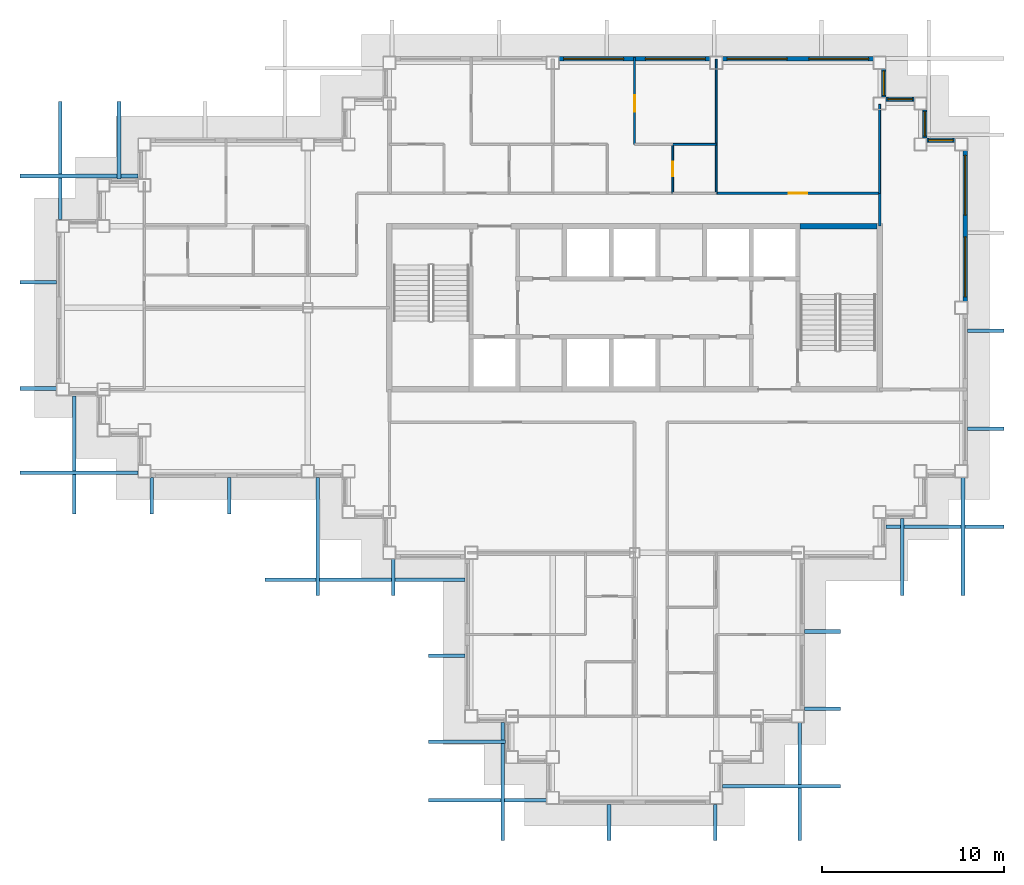
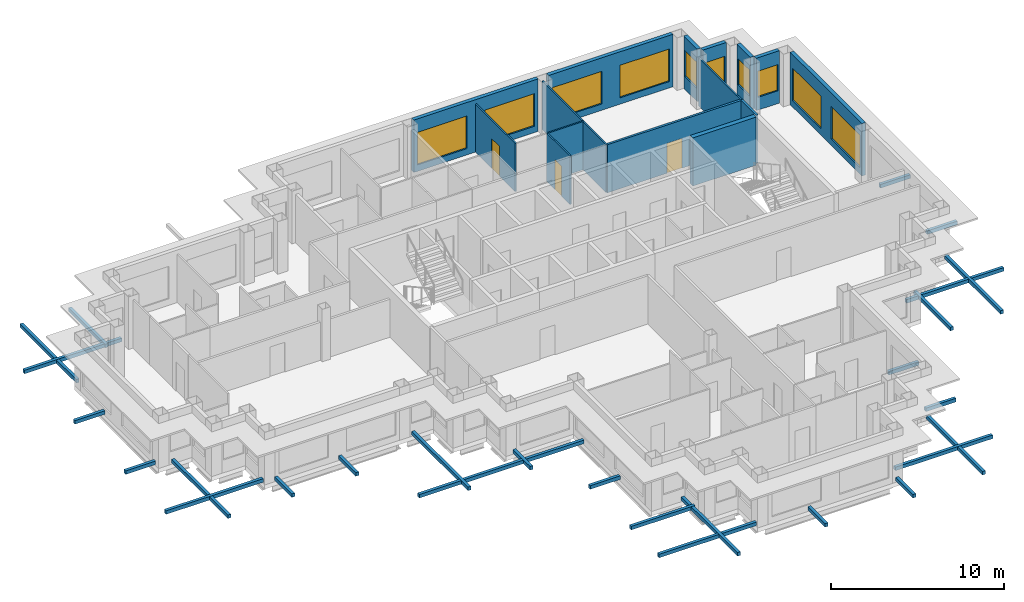
# One storey, part 7 of 12: 27 discrete accessories, 16 walls, 10 windows, 3 doors, 13 openings.
"""IFC4 building model written with IfcOpenShell, lengths in metres."""

import ifcopenshell
import ifcopenshell.guid

model = None  # the IFC model being written
_history = None  # IfcOwnerHistory: only IFC2X3 demands one
_inside = {}  # id of a spatial element -> (the spatial element, [elements in it])
_under = {}  # id of a project, library or spatial element -> (it, [spatial elements below it])
_declared = {}  # id of a project -> (the project, [libraries it declares])
_typed = {}  # id of a type object -> (the type object, [elements of that type])
_made_of = {}  # id of a material, layer set ... -> (it, [elements and type objects made of it])


def new_model(schema):
    """Start an empty IFC model of exactly this schema.

    Asked for "IFC4X3", IfcOpenShell would pick the latest addendum, in which some entities
    have other attributes; the version numbers below select the first issue.
    IFC2X3 requires an IfcOwnerHistory on every rooted entity: one is made here for all.
    """
    global model, _history
    if schema == "IFC4X3":
        model = ifcopenshell.file(schema_version=(4, 3, 0, 0))
    else:
        model = ifcopenshell.file(schema=schema)
    _inside.clear()
    _under.clear()
    _declared.clear()
    _typed.clear()
    _made_of.clear()
    _history = None
    if model.schema == "IFC2X3":
        org = make("IfcOrganization", Name="unknown")
        user = make(
            "IfcPersonAndOrganization",
            ThePerson=make("IfcPerson", FamilyName="unknown"),
            TheOrganization=org,
        )
        app = make(
            "IfcApplication",
            ApplicationDeveloper=org,
            Version="unknown",
            ApplicationFullName="unknown",
            ApplicationIdentifier="unknown",
        )
        _history = make(
            "IfcOwnerHistory",
            OwningUser=user,
            OwningApplication=app,
            ChangeAction="ADDED",
            CreationDate=0,
        )
    return model


def make(cls, **values):
    """One entity of the class cls with the attributes given. An attribute that is None is left unset."""
    return model.create_entity(
        cls, **{name: value for name, value in values.items() if value is not None}
    )


def rooted(cls, **values):
    """An entity with a GlobalId (a new one), such as an element, a storey or a relation."""
    return make(cls, GlobalId=ifcopenshell.guid.new(), OwnerHistory=_history, **values)


def si_unit(unit_type, name, prefix=None):
    """IfcSIUnit, for example si_unit("LENGTHUNIT", "METRE", prefix="MILLI")."""
    return make("IfcSIUnit", UnitType=unit_type, Prefix=prefix, Name=name)


def assignment(units):
    """IfcUnitAssignment: the units of a project."""
    return None if units is None else make("IfcUnitAssignment", Units=units)


def point(xyz):
    """IfcCartesianPoint."""
    return None if xyz is None else make("IfcCartesianPoint", Coordinates=xyz)


def direction(xyz):
    """IfcDirection."""
    return None if xyz is None else make("IfcDirection", DirectionRatios=xyz)


def frame(location, z_axis=None, x_axis=None):
    """IfcAxis2Placement3D, a coordinate frame: its origin and axes. An axis left out is left unset."""
    return make(
        "IfcAxis2Placement3D",
        Location=point(location),
        Axis=direction(z_axis),
        RefDirection=direction(x_axis),
    )


def frame_2d(location, x_axis=None):
    """IfcAxis2Placement2D, a coordinate frame in the plane: its origin and x axis."""
    return make(
        "IfcAxis2Placement2D", Location=point(location), RefDirection=direction(x_axis)
    )


def origin():
    """The frame at (0, 0, 0) with its axes left unset."""
    return frame((0.0, 0.0, 0.0))


def origin_2d():
    """The frame at (0, 0) in the plane with its x axis left unset."""
    return frame_2d((0.0, 0.0))


def place(relative_to, where):
    """IfcLocalPlacement: puts the frame where relative to a parent placement (None: the world)."""
    return make(
        "IfcLocalPlacement", PlacementRelTo=relative_to, RelativePlacement=where
    )


def context(
    kind, dimensions, precision=None, world=None, true_north=None, identifier=None
):
    """IfcGeometricRepresentationContext, for example the 3D "Model" context."""
    return make(
        "IfcGeometricRepresentationContext",
        ContextIdentifier=identifier,
        ContextType=kind,
        CoordinateSpaceDimension=dimensions,
        Precision=precision,
        WorldCoordinateSystem=world,
        TrueNorth=true_north,
    )


def subcontext(parent, identifier, kind, view, scale=None):
    """IfcGeometricRepresentationSubContext, for example "Body" below "Model"."""
    return make(
        "IfcGeometricRepresentationSubContext",
        ContextIdentifier=identifier,
        ContextType=kind,
        ParentContext=parent,
        TargetScale=scale,
        TargetView=view,
    )


def project(units=None, contexts=None):
    """IfcProject with its units and contexts."""
    return rooted(
        "IfcProject",
        Name="project",
        RepresentationContexts=contexts,
        UnitsInContext=assignment(units),
    )


def spatial(cls, under=None, at=None, **own):
    """A site, building, storey or space (cls), placed at a placement, below another one or the project."""
    s = rooted(cls, ObjectPlacement=at, **own)
    if under is not None:
        _under.setdefault(under.id(), (under, []))[1].append(s)
    return s


def profile(cls, at=None, kind="AREA", **sizes):
    """A parametric profile (cls). Its sizes go by their IFC names, for example OverallWidth=200.0."""
    return make(cls, ProfileType=kind, Position=at, **sizes)


def rectangle(**sizes):
    """IfcRectangleProfileDef."""
    return profile("IfcRectangleProfileDef", **sizes)


def extrude(swept, where, along, depth):
    """IfcExtrudedAreaSolid: the profile swept, set in the frame where, extruded along a direction by depth."""
    return make(
        "IfcExtrudedAreaSolid",
        SweptArea=swept,
        Position=where,
        ExtrudedDirection=direction(along),
        Depth=depth,
    )


def shape(context_of_items, identifier, shape_type, items):
    """IfcShapeRepresentation: the items that make up one representation, for example the "Body"."""
    return make(
        "IfcShapeRepresentation",
        ContextOfItems=context_of_items,
        RepresentationIdentifier=identifier,
        RepresentationType=shape_type,
        Items=items,
    )


def material(Name=None, Category=None):
    """IfcMaterial."""
    return make("IfcMaterial", Name=Name, Category=Category)


def layer(
    of_material, thickness, ventilated=None, Name=None, Category=None, Priority=None
):
    """IfcMaterialLayer: one layer of a wall or slab, of a material (None: an air gap)."""
    return make(
        "IfcMaterialLayer",
        Material=of_material,
        LayerThickness=thickness,
        IsVentilated=ventilated,
        Name=Name,
        Category=Category,
        Priority=Priority,
    )


def layer_set(layers, Name=None):
    """IfcMaterialLayerSet."""
    return make("IfcMaterialLayerSet", MaterialLayers=layers, LayerSetName=Name)


def made_of(thing, what):
    """Note that an element or type object is made of a material, layer set ...; save() writes the relation."""
    if what is not None:
        _made_of.setdefault(what.id(), (what, []))[1].append(thing)
    return thing


def type_object(cls, material=None, **own):
    """A type object (cls), such as IfcWallType, which elements share."""
    return made_of(rooted(cls, **own), material)


def element(
    cls,
    number,
    at=None,
    inside=None,
    cuts=None,
    type_object=None,
    material=None,
    context=None,
    identifier="Body",
    shape_type=None,
    held_by="IfcProductDefinitionShape",
    body=None,
    shapes=None,
    **own,
):
    """One element of the class cls, such as IfcWall. Its Tag is "e" and its number.

    at: its placement. inside: the storey or other place that contains it. cuts: it is an
    opening in that element (IfcRelVoidsElement). A single representation is given by context,
    identifier, shape_type and body (its items); several are given by shapes. held_by: the class
    of the entity that holds the representations. save() writes the other relations.
    """
    e = rooted(cls, Tag="e%d" % number, ObjectPlacement=at, **own)
    if body is not None:
        shapes = [shape(context, identifier, shape_type, body)]
    if shapes is not None:
        e.Representation = make(held_by, Representations=shapes)
    if inside is not None:
        _inside.setdefault(inside.id(), (inside, []))[1].append(e)
    if cuts is not None:
        rooted(
            "IfcRelVoidsElement", RelatingBuildingElement=cuts, RelatedOpeningElement=e
        )
    if type_object is not None:
        _typed.setdefault(type_object.id(), (type_object, []))[1].append(e)
    return made_of(e, material)


def fill(opening, filler):
    """IfcRelFillsElement: the door or window that sits in an opening."""
    return rooted(
        "IfcRelFillsElement",
        RelatingOpeningElement=opening,
        RelatedBuildingElement=filler,
    )


def aggregate(whole, parts):
    """IfcRelAggregates: a whole, such as a stair, and the parts it consists of."""
    return rooted("IfcRelAggregates", RelatingObject=whole, RelatedObjects=parts)


def save(model, path):
    """Write the relations noted so far, then the file.

    IfcRelAggregates (storeys below a building ...), IfcRelContainedInSpatialStructure (elements
    in a storey), IfcRelDefinesByType, IfcRelAssociatesMaterial and IfcRelDeclares: one each for
    every whole, place, type object, material and project.
    """
    for whole, parts in _under.values():
        aggregate(whole, parts)
    for where, things in _inside.values():
        rooted(
            "IfcRelContainedInSpatialStructure",
            RelatedElements=things,
            RelatingStructure=where,
        )
    for kind, things in _typed.values():
        rooted("IfcRelDefinesByType", RelatedObjects=things, RelatingType=kind)
    for what, things in _made_of.values():
        rooted("IfcRelAssociatesMaterial", RelatedObjects=things, RelatingMaterial=what)
    for by, libraries in _declared.values():
        rooted("IfcRelDeclares", RelatingContext=by, RelatedDefinitions=libraries)
    model.write(path)


model = new_model("IFC4")

# Units and contexts
model_context = context("Model", 3, precision=1e-05, world=origin(), true_north=direction((0.0, 1.0)))
body_context = subcontext(model_context, "Body", "Model", "MODEL_VIEW")
ifc_project = project(units=[si_unit("LENGTHUNIT", "METRE"), si_unit("AREAUNIT", "SQUARE_METRE"), si_unit("VOLUMEUNIT", "CUBIC_METRE"), si_unit("PLANEANGLEUNIT", "RADIAN"), si_unit("MASSUNIT", "GRAM", prefix="KILO")], contexts=[model_context])

# Site, building, storey
site_placement = place(None, origin())
site = spatial("IfcSite", under=ifc_project, at=site_placement, CompositionType="ELEMENT")
building_placement = place(site_placement, origin())
building = spatial("IfcBuilding", under=site, at=building_placement, Name="Caravel Reach Hotel and Residences", CompositionType="ELEMENT")
storey_placement = place(building_placement, frame((0.0, 0.0, 203.5)))
storey = spatial("IfcBuildingStorey", under=building, at=storey_placement, Name="L51", CompositionType="ELEMENT", Elevation=203.5)

# Wall
ifc_material_1 = material(Name="Gypsum board on steel stud", Category="steel")
ifc_layer_1 = layer(ifc_material_1, 0.10009765625)
ifc_layer_set_1 = layer_set([ifc_layer_1], Name="Bathroom pod wall 100 mm")
wall_type_1 = type_object("IfcWallType", Name="Bathroom pod wall 100 mm", PredefinedType="PARTITIONING", material=ifc_layer_set_1)
wall_1_placement = place(storey_placement, frame((33.60009765625, 36.0, 0.0), z_axis=(0.0, 0.0, 1.0), x_axis=(1.0, 0.0, 0.0)))
element("IfcWall", 1, at=wall_1_placement, inside=storey, type_object=wall_type_1, Name="L51 wall w071", PredefinedType="PARTITIONING", context=body_context, shape_type="SweptSolid", body=[
    extrude(rectangle(XDim=2.39990234375, YDim=0.10009765625, at=frame_2d((1.199951171875, 0.0))), origin(), (0.0, 0.0, 1.0), 3.39990234375),
])

# Wall, opening, door
wall_2_placement = place(storey_placement, frame((33.60009765625, 33.300048828125, 0.0), z_axis=(0.0, 0.0, 1.0), x_axis=(0.0, 1.0, 0.0)))
wall_2 = element("IfcWall", 2, at=wall_2_placement, inside=storey, type_object=wall_type_1, Name="L51 wall w079", PredefinedType="PARTITIONING", context=body_context, shape_type="SweptSolid", body=[
    extrude(rectangle(XDim=2.699951171875, YDim=0.10009765625, at=frame_2d((1.35009765625, 0.0))), origin(), (0.0, 0.0, 1.0), 3.39990234375),
])
opening_1_placement = place(wall_2_placement, frame((0.949951171875, 0.0, 0.0)))
opening_1 = element("IfcOpeningElement", 3, at=opening_1_placement, cuts=wall_2, Name="Opening D51-023", PredefinedType="OPENING", context=body_context, shape_type="SweptSolid", body=[
    extrude(rectangle(XDim=0.800048828125, YDim=2.10009765625, at=frame_2d((0.39990234375, 1.050048828125))), frame((0.0, 0.06005859375, 0.0), z_axis=(0.0, -1.0, 0.0), x_axis=(1.0, 0.0, 0.0)), (0.0, 0.0, 1.0), 0.1201171875),
])
ifc_material_2 = material(Name="Timber and steel door leaf", Category="steel")
door_type_1 = type_object("IfcDoorType", Name="Bathroom door 800 x 2100", OperationType="SINGLE_SWING_LEFT", PredefinedType="DOOR", material=ifc_material_2)
door_1_placement = place(opening_1_placement, origin())
door_1 = element("IfcDoor", 4, at=door_1_placement, inside=storey, type_object=door_type_1, Name="door D51-023", OperationType="SINGLE_SWING_RIGHT", OverallHeight=2.10009765625, OverallWidth=0.800048828125, PredefinedType="DOOR", context=body_context, shape_type="SweptSolid", body=[
    extrude(rectangle(XDim=0.800048828125, YDim=2.10009765625, at=frame_2d((0.39990234375, 1.050048828125))), frame((0.0, 0.02490234375, 0.0), z_axis=(0.0, -1.0, 0.0), x_axis=(1.0, 0.0, 0.0)), (0.0, 0.0, 1.0), 0.050048828125),
])
fill(opening_1, door_1)

# Walls
wall_3_placement = place(storey_placement, frame((36.0, 33.300048828125, 0.0), z_axis=(0.0, 0.0, 1.0), x_axis=(0.0, 1.0, 0.0)))
element("IfcWall", 5, at=wall_3_placement, inside=storey, type_object=wall_type_1, Name="L51 wall w080", PredefinedType="PARTITIONING", context=body_context, shape_type="SweptSolid", body=[
    extrude(rectangle(XDim=2.699951171875, YDim=0.10009765625, at=frame_2d((1.35009765625, 0.0))), origin(), (0.0, 0.0, 1.0), 3.39990234375),
])
ifc_material_3 = material(Name="Concrete C60", Category="concrete")
ifc_layer_2 = layer(ifc_material_3, 0.300048828125)
ifc_layer_set_2 = layer_set([ifc_layer_2], Name="Core wall 300 mm EI 120")
wall_type_2 = type_object("IfcWallType", Name="Core wall 300 mm EI 120", PredefinedType="SHEAR", material=ifc_layer_set_2)
wall_4_placement = place(storey_placement, frame((40.625, 31.5, 0.0), z_axis=(0.0, 0.0, 1.0), x_axis=(1.0, 0.0, 0.0)))
element("IfcWall", 6, at=wall_4_placement, inside=storey, type_object=wall_type_2, Name="L51 core wall N3", PredefinedType="SHEAR", context=body_context, shape_type="SweptSolid", body=[
    extrude(rectangle(XDim=4.22509765625, YDim=0.300048828125, at=frame_2d((2.112548828125, 0.0))), origin(), (0.0, 0.0, 1.0), 3.39990234375),
])

# Wall, opening, door
ifc_material_4 = material(Name="Gypsum board on steel stud, fire-rated", Category="steel")
ifc_layer_3 = layer(ifc_material_4, 0.14990234375)
ifc_layer_set_3 = layer_set([ifc_layer_3], Name="Corridor wall 150 mm EI 60")
wall_type_3 = type_object("IfcWallType", Name="Corridor wall 150 mm EI 60", PredefinedType="PARTITIONING", material=ifc_layer_set_3)
wall_5_placement = place(storey_placement, frame((36.0, 33.300048828125, 0.0), z_axis=(0.0, 0.0, 1.0), x_axis=(1.0, 0.0, 0.0)))
wall_5 = element("IfcWall", 7, at=wall_5_placement, inside=storey, type_object=wall_type_3, Name="L51 wall w014", PredefinedType="PARTITIONING", context=body_context, shape_type="SweptSolid", body=[
    extrude(rectangle(XDim=9.0, YDim=0.14990234375, at=frame_2d((4.5, 0.0))), origin(), (0.0, 0.0, 1.0), 3.39990234375),
])
opening_2_placement = place(wall_5_placement, frame((4.0, 0.0, 0.0)))
opening_2 = element("IfcOpeningElement", 8, at=opening_2_placement, cuts=wall_5, Name="Opening D51-025", PredefinedType="OPENING", context=body_context, shape_type="SweptSolid", body=[
    extrude(rectangle(XDim=1.0, YDim=2.10009765625, at=frame_2d((0.5, 1.050048828125))), frame((0.0, 0.0849609375, 0.0), z_axis=(0.0, -1.0, 0.0), x_axis=(1.0, 0.0, 0.0)), (0.0, 0.0, 1.0), 0.169921875),
])
ifc_material_5 = material(Name="Steel fire door leaf", Category="steel")
door_type_2 = type_object("IfcDoorType", Name="Fire door 1000 x 2100 EI 60", OperationType="SINGLE_SWING_LEFT", PredefinedType="DOOR", material=ifc_material_5)
door_2_placement = place(opening_2_placement, origin())
door_2 = element("IfcDoor", 9, at=door_2_placement, inside=storey, type_object=door_type_2, Name="door D51-025", OperationType="SINGLE_SWING_LEFT", OverallHeight=2.10009765625, OverallWidth=1.0, PredefinedType="DOOR", context=body_context, shape_type="SweptSolid", body=[
    extrude(rectangle(XDim=1.0, YDim=2.10009765625, at=frame_2d((0.5, 1.050048828125))), frame((0.0, 0.02490234375, 0.0), z_axis=(0.0, -1.0, 0.0), x_axis=(1.0, 0.0, 0.0)), (0.0, 0.0, 1.0), 0.050048828125),
])
fill(opening_2, door_2)

# Wall
wall_6_placement = place(storey_placement, frame((45.0, 31.5, 0.0), z_axis=(0.0, 0.0, 1.0), x_axis=(0.0, 1.0, 0.0)))
element("IfcWall", 10, at=wall_6_placement, inside=storey, type_object=wall_type_3, Name="L51 wall w026", PredefinedType="PARTITIONING", context=body_context, shape_type="SweptSolid", body=[
    extrude(rectangle(XDim=1.800048828125, YDim=0.14990234375, at=frame_2d((0.89990234375, 0.0))), origin(), (0.0, 0.0, 1.0), 3.39990234375),
])

# Wall, openings, windows
ifc_material_6 = material(Name="Insulated rainscreen wall, aluminium cladding", Category="aluminium")
ifc_layer_4 = layer(ifc_material_6, 0.25)
ifc_layer_set_4 = layer_set([ifc_layer_4], Name="EW1 Tower rainscreen wall")
wall_type_4 = type_object("IfcWallType", Name="EW1 Tower rainscreen wall", PredefinedType="SOLIDWALL", material=ifc_layer_set_4)
wall_7_placement = place(storey_placement, frame((49.72509765625, 27.35009765625, 0.0), z_axis=(0.0, 0.0, 1.0), x_axis=(0.0, 1.0, 0.0)))
wall_7 = element("IfcWall", 11, at=wall_7_placement, inside=storey, type_object=wall_type_4, Name="External wall L51 E6.2", PredefinedType="SOLIDWALL", context=body_context, shape_type="SweptSolid", body=[
    extrude(rectangle(XDim=8.2998046875, YDim=0.25, at=frame_2d((4.14990234375, 0.0))), origin(), (0.0, 0.0, 1.0), 3.699951171875),
])
opening_3_placement = place(wall_7_placement, frame((0.25, 0.0, 0.449951171875)))
opening_3 = element("IfcOpeningElement", 12, at=opening_3_placement, cuts=wall_7, Name="Opening WN15", PredefinedType="OPENING", context=body_context, shape_type="SweptSolid", body=[
    extrude(rectangle(XDim=3.300048828125, YDim=2.300048828125, at=frame_2d((1.64990234375, 1.14990234375))), frame((0.0, 0.135009765625, 0.0), z_axis=(0.0, -1.0, 0.0), x_axis=(1.0, 0.0, 0.0)), (0.0, 0.0, 1.0), 0.27001953125),
])
opening_4_placement = place(wall_7_placement, frame((4.75, 0.0, 0.449951171875)))
opening_4 = element("IfcOpeningElement", 13, at=opening_4_placement, cuts=wall_7, Name="Opening WN15", PredefinedType="OPENING", context=body_context, shape_type="SweptSolid", body=[
    extrude(rectangle(XDim=3.300048828125, YDim=2.300048828125, at=frame_2d((1.64990234375, 1.14990234375))), frame((0.0, 0.135009765625, 0.0), z_axis=(0.0, -1.0, 0.0), x_axis=(1.0, 0.0, 0.0)), (0.0, 0.0, 1.0), 0.27001953125),
])
ifc_material_7 = material(Name="Dark low-e glazing in black aluminium frame", Category="aluminium")
window_type_1 = type_object("IfcWindowType", Name="Residence living window 3300 x 2300", PartitioningType="SINGLE_PANEL", PredefinedType="WINDOW", material=ifc_material_7)
window_1_placement = place(opening_3_placement, origin())
window_1 = element("IfcWindow", 14, at=window_1_placement, inside=storey, type_object=window_type_1, Name="Window L51 E6.2.1", OverallHeight=2.300048828125, OverallWidth=3.300048828125, PartitioningType="SINGLE_PANEL", PredefinedType="WINDOW", context=body_context, shape_type="SweptSolid", body=[
    extrude(rectangle(XDim=3.300048828125, YDim=2.300048828125, at=frame_2d((1.64990234375, 1.14990234375))), frame((0.0, 0.030029296875, 0.0), z_axis=(0.0, -1.0, 0.0), x_axis=(1.0, 0.0, 0.0)), (0.0, 0.0, 1.0), 0.06005859375),
])
fill(opening_3, window_1)
window_2_placement = place(opening_4_placement, origin())
window_2 = element("IfcWindow", 15, at=window_2_placement, inside=storey, type_object=window_type_1, Name="Window L51 E6.2.2", OverallHeight=2.300048828125, OverallWidth=3.300048828125, PartitioningType="SINGLE_PANEL", PredefinedType="WINDOW", context=body_context, shape_type="SweptSolid", body=[
    extrude(rectangle(XDim=3.300048828125, YDim=2.300048828125, at=frame_2d((1.64990234375, 1.14990234375))), frame((0.0, 0.030029296875, 0.0), z_axis=(0.0, -1.0, 0.0), x_axis=(1.0, 0.0, 0.0)), (0.0, 0.0, 1.0), 0.06005859375),
])
fill(opening_4, window_2)

# Wall, opening, window
wall_8_placement = place(storey_placement, frame((49.14990234375, 36.22509765625, 0.0), z_axis=(0.0, 0.0, 1.0), x_axis=(-1.0, 0.0, 0.0)))
wall_8 = element("IfcWall", 16, at=wall_8_placement, inside=storey, type_object=wall_type_4, Name="External wall L51 N7.1", PredefinedType="SOLIDWALL", context=body_context, shape_type="SweptSolid", body=[
    extrude(rectangle(XDim=1.5498046875, YDim=0.25, at=frame_2d((0.77490234375, 0.0))), origin(), (0.0, 0.0, 1.0), 3.699951171875),
])
opening_5_placement = place(wall_8_placement, frame((0.10009765625, 0.0, 0.89990234375)))
opening_5 = element("IfcOpeningElement", 17, at=opening_5_placement, cuts=wall_8, Name="Opening WN21", PredefinedType="OPENING", context=body_context, shape_type="SweptSolid", body=[
    extrude(rectangle(XDim=1.35009765625, YDim=1.85009765625, at=frame_2d((0.675048828125, 0.925048828125))), frame((0.0, 0.135009765625, 0.0), z_axis=(0.0, -1.0, 0.0), x_axis=(1.0, 0.0, 0.0)), (0.0, 0.0, 1.0), 0.27001953125),
])
ifc_material_8 = material(Name="Dark low-e glazing in black aluminium frame", Category="aluminium")
window_type_2 = type_object("IfcWindowType", Name="Residence bedroom window 1350 x 1850", PartitioningType="SINGLE_PANEL", PredefinedType="WINDOW", material=ifc_material_8)
window_3_placement = place(opening_5_placement, origin())
window_3 = element("IfcWindow", 18, at=window_3_placement, inside=storey, type_object=window_type_2, Name="Window L51 N7.1.1", OverallHeight=1.85009765625, OverallWidth=1.35009765625, PartitioningType="SINGLE_PANEL", PredefinedType="WINDOW", context=body_context, shape_type="SweptSolid", body=[
    extrude(rectangle(XDim=1.35009765625, YDim=1.85009765625, at=frame_2d((0.675048828125, 0.925048828125))), frame((0.0, 0.030029296875, 0.0), z_axis=(0.0, -1.0, 0.0), x_axis=(1.0, 0.0, 0.0)), (0.0, 0.0, 1.0), 0.06005859375),
])
fill(opening_5, window_3)

wall_9_placement = place(storey_placement, frame((47.47509765625, 36.35009765625, 0.0), z_axis=(0.0, 0.0, 1.0), x_axis=(0.0, 1.0, 0.0)))
wall_9 = element("IfcWall", 19, at=wall_9_placement, inside=storey, type_object=wall_type_4, Name="External wall L51 E8.1", PredefinedType="SOLIDWALL", context=body_context, shape_type="SweptSolid", body=[
    extrude(rectangle(XDim=1.5498046875, YDim=0.25, at=frame_2d((0.77490234375, 0.0))), origin(), (0.0, 0.0, 1.0), 3.699951171875),
])
opening_6_placement = place(wall_9_placement, frame((0.10009765625, 0.0, 0.89990234375)))
opening_6 = element("IfcOpeningElement", 20, at=opening_6_placement, cuts=wall_9, Name="Opening WN21", PredefinedType="OPENING", context=body_context, shape_type="SweptSolid", body=[
    extrude(rectangle(XDim=1.35009765625, YDim=1.85009765625, at=frame_2d((0.675048828125, 0.925048828125))), frame((0.0, 0.135009765625, 0.0), z_axis=(0.0, -1.0, 0.0), x_axis=(1.0, 0.0, 0.0)), (0.0, 0.0, 1.0), 0.27001953125),
])
window_4_placement = place(opening_6_placement, origin())
window_4 = element("IfcWindow", 21, at=window_4_placement, inside=storey, type_object=window_type_2, Name="Window L51 E8.1.1", OverallHeight=1.85009765625, OverallWidth=1.35009765625, PartitioningType="SINGLE_PANEL", PredefinedType="WINDOW", context=body_context, shape_type="SweptSolid", body=[
    extrude(rectangle(XDim=1.35009765625, YDim=1.85009765625, at=frame_2d((0.675048828125, 0.925048828125))), frame((0.0, 0.030029296875, 0.0), z_axis=(0.0, -1.0, 0.0), x_axis=(1.0, 0.0, 0.0)), (0.0, 0.0, 1.0), 0.06005859375),
])
fill(opening_6, window_4)

wall_10_placement = place(storey_placement, frame((46.89990234375, 38.47509765625, 0.0), z_axis=(0.0, 0.0, 1.0), x_axis=(-1.0, 0.0, 0.0)))
wall_10 = element("IfcWall", 22, at=wall_10_placement, inside=storey, type_object=wall_type_4, Name="External wall L51 N9.1", PredefinedType="SOLIDWALL", context=body_context, shape_type="SweptSolid", body=[
    extrude(rectangle(XDim=1.5498046875, YDim=0.25, at=frame_2d((0.77490234375, 0.0))), origin(), (0.0, 0.0, 1.0), 3.699951171875),
])
opening_7_placement = place(wall_10_placement, frame((0.10009765625, 0.0, 0.89990234375)))
opening_7 = element("IfcOpeningElement", 23, at=opening_7_placement, cuts=wall_10, Name="Opening WN21", PredefinedType="OPENING", context=body_context, shape_type="SweptSolid", body=[
    extrude(rectangle(XDim=1.35009765625, YDim=1.85009765625, at=frame_2d((0.675048828125, 0.925048828125))), frame((0.0, 0.135009765625, 0.0), z_axis=(0.0, -1.0, 0.0), x_axis=(1.0, 0.0, 0.0)), (0.0, 0.0, 1.0), 0.27001953125),
])
window_5_placement = place(opening_7_placement, origin())
window_5 = element("IfcWindow", 24, at=window_5_placement, inside=storey, type_object=window_type_2, Name="Window L51 N9.1.1", OverallHeight=1.85009765625, OverallWidth=1.35009765625, PartitioningType="SINGLE_PANEL", PredefinedType="WINDOW", context=body_context, shape_type="SweptSolid", body=[
    extrude(rectangle(XDim=1.35009765625, YDim=1.85009765625, at=frame_2d((0.675048828125, 0.925048828125))), frame((0.0, 0.030029296875, 0.0), z_axis=(0.0, -1.0, 0.0), x_axis=(1.0, 0.0, 0.0)), (0.0, 0.0, 1.0), 0.06005859375),
])
fill(opening_7, window_5)

wall_11_placement = place(storey_placement, frame((45.22509765625, 38.60009765625, 0.0), z_axis=(0.0, 0.0, 1.0), x_axis=(0.0, 1.0, 0.0)))
wall_11 = element("IfcWall", 25, at=wall_11_placement, inside=storey, type_object=wall_type_4, Name="External wall L51 E10.1", PredefinedType="SOLIDWALL", context=body_context, shape_type="SweptSolid", body=[
    extrude(rectangle(XDim=1.5498046875, YDim=0.25, at=frame_2d((0.77490234375, 0.0))), origin(), (0.0, 0.0, 1.0), 3.699951171875),
])
opening_8_placement = place(wall_11_placement, frame((0.10009765625, 0.0, 0.89990234375)))
opening_8 = element("IfcOpeningElement", 26, at=opening_8_placement, cuts=wall_11, Name="Opening WN21", PredefinedType="OPENING", context=body_context, shape_type="SweptSolid", body=[
    extrude(rectangle(XDim=1.35009765625, YDim=1.85009765625, at=frame_2d((0.675048828125, 0.925048828125))), frame((0.0, 0.135009765625, 0.0), z_axis=(0.0, -1.0, 0.0), x_axis=(1.0, 0.0, 0.0)), (0.0, 0.0, 1.0), 0.27001953125),
])
window_6_placement = place(opening_8_placement, origin())
window_6 = element("IfcWindow", 27, at=window_6_placement, inside=storey, type_object=window_type_2, Name="Window L51 E10.1.1", OverallHeight=1.85009765625, OverallWidth=1.35009765625, PartitioningType="SINGLE_PANEL", PredefinedType="WINDOW", context=body_context, shape_type="SweptSolid", body=[
    extrude(rectangle(XDim=1.35009765625, YDim=1.85009765625, at=frame_2d((0.675048828125, 0.925048828125))), frame((0.0, 0.030029296875, 0.0), z_axis=(0.0, -1.0, 0.0), x_axis=(1.0, 0.0, 0.0)), (0.0, 0.0, 1.0), 0.06005859375),
])
fill(opening_8, window_6)

# Wall, openings, windows
wall_12_placement = place(storey_placement, frame((44.64990234375, 40.72509765625, 0.0), z_axis=(0.0, 0.0, 1.0), x_axis=(-1.0, 0.0, 0.0)))
wall_12 = element("IfcWall", 28, at=wall_12_placement, inside=storey, type_object=wall_type_4, Name="External wall L51 N11.1", PredefinedType="SOLIDWALL", context=body_context, shape_type="SweptSolid", body=[
    extrude(rectangle(XDim=8.2998046875, YDim=0.25, at=frame_2d((4.14990234375, 0.0))), origin(), (0.0, 0.0, 1.0), 3.699951171875),
])
opening_9_placement = place(wall_12_placement, frame((0.25, 0.0, 0.449951171875)))
opening_9 = element("IfcOpeningElement", 29, at=opening_9_placement, cuts=wall_12, Name="Opening WN15", PredefinedType="OPENING", context=body_context, shape_type="SweptSolid", body=[
    extrude(rectangle(XDim=3.300048828125, YDim=2.300048828125, at=frame_2d((1.64990234375, 1.14990234375))), frame((0.0, 0.135009765625, 0.0), z_axis=(0.0, -1.0, 0.0), x_axis=(1.0, 0.0, 0.0)), (0.0, 0.0, 1.0), 0.27001953125),
])
opening_10_placement = place(wall_12_placement, frame((4.75, 0.0, 0.449951171875)))
opening_10 = element("IfcOpeningElement", 30, at=opening_10_placement, cuts=wall_12, Name="Opening WN15", PredefinedType="OPENING", context=body_context, shape_type="SweptSolid", body=[
    extrude(rectangle(XDim=3.300048828125, YDim=2.300048828125, at=frame_2d((1.64990234375, 1.14990234375))), frame((0.0, 0.135009765625, 0.0), z_axis=(0.0, -1.0, 0.0), x_axis=(1.0, 0.0, 0.0)), (0.0, 0.0, 1.0), 0.27001953125),
])
window_7_placement = place(opening_9_placement, origin())
window_7 = element("IfcWindow", 31, at=window_7_placement, inside=storey, type_object=window_type_1, Name="Window L51 N11.1.1", OverallHeight=2.300048828125, OverallWidth=3.300048828125, PartitioningType="SINGLE_PANEL", PredefinedType="WINDOW", context=body_context, shape_type="SweptSolid", body=[
    extrude(rectangle(XDim=3.300048828125, YDim=2.300048828125, at=frame_2d((1.64990234375, 1.14990234375))), frame((0.0, 0.030029296875, 0.0), z_axis=(0.0, -1.0, 0.0), x_axis=(1.0, 0.0, 0.0)), (0.0, 0.0, 1.0), 0.06005859375),
])
fill(opening_9, window_7)
window_8_placement = place(opening_10_placement, origin())
window_8 = element("IfcWindow", 32, at=window_8_placement, inside=storey, type_object=window_type_1, Name="Window L51 N11.1.2", OverallHeight=2.300048828125, OverallWidth=3.300048828125, PartitioningType="SINGLE_PANEL", PredefinedType="WINDOW", context=body_context, shape_type="SweptSolid", body=[
    extrude(rectangle(XDim=3.300048828125, YDim=2.300048828125, at=frame_2d((1.64990234375, 1.14990234375))), frame((0.0, 0.030029296875, 0.0), z_axis=(0.0, -1.0, 0.0), x_axis=(1.0, 0.0, 0.0)), (0.0, 0.0, 1.0), 0.06005859375),
])
fill(opening_10, window_8)

wall_13_placement = place(storey_placement, frame((35.64990234375, 40.72509765625, 0.0), z_axis=(0.0, 0.0, 1.0), x_axis=(-1.0, 0.0, 0.0)))
wall_13 = element("IfcWall", 33, at=wall_13_placement, inside=storey, type_object=wall_type_4, Name="External wall L51 N11.2", PredefinedType="SOLIDWALL", context=body_context, shape_type="SweptSolid", body=[
    extrude(rectangle(XDim=8.2998046875, YDim=0.25, at=frame_2d((4.14990234375, 0.0))), origin(), (0.0, 0.0, 1.0), 3.699951171875),
])
opening_11_placement = place(wall_13_placement, frame((0.25, 0.0, 0.449951171875)))
opening_11 = element("IfcOpeningElement", 34, at=opening_11_placement, cuts=wall_13, Name="Opening WN15", PredefinedType="OPENING", context=body_context, shape_type="SweptSolid", body=[
    extrude(rectangle(XDim=3.300048828125, YDim=2.300048828125, at=frame_2d((1.64990234375, 1.14990234375))), frame((0.0, 0.135009765625, 0.0), z_axis=(0.0, -1.0, 0.0), x_axis=(1.0, 0.0, 0.0)), (0.0, 0.0, 1.0), 0.27001953125),
])
opening_12_placement = place(wall_13_placement, frame((4.75, 0.0, 0.449951171875)))
opening_12 = element("IfcOpeningElement", 35, at=opening_12_placement, cuts=wall_13, Name="Opening WN15", PredefinedType="OPENING", context=body_context, shape_type="SweptSolid", body=[
    extrude(rectangle(XDim=3.300048828125, YDim=2.300048828125, at=frame_2d((1.64990234375, 1.14990234375))), frame((0.0, 0.135009765625, 0.0), z_axis=(0.0, -1.0, 0.0), x_axis=(1.0, 0.0, 0.0)), (0.0, 0.0, 1.0), 0.27001953125),
])
window_9_placement = place(opening_11_placement, origin())
window_9 = element("IfcWindow", 36, at=window_9_placement, inside=storey, type_object=window_type_1, Name="Window L51 N11.2.1", OverallHeight=2.300048828125, OverallWidth=3.300048828125, PartitioningType="SINGLE_PANEL", PredefinedType="WINDOW", context=body_context, shape_type="SweptSolid", body=[
    extrude(rectangle(XDim=3.300048828125, YDim=2.300048828125, at=frame_2d((1.64990234375, 1.14990234375))), frame((0.0, 0.030029296875, 0.0), z_axis=(0.0, -1.0, 0.0), x_axis=(1.0, 0.0, 0.0)), (0.0, 0.0, 1.0), 0.06005859375),
])
fill(opening_11, window_9)
window_10_placement = place(opening_12_placement, origin())
window_10 = element("IfcWindow", 37, at=window_10_placement, inside=storey, type_object=window_type_1, Name="Window L51 N11.2.2", OverallHeight=2.300048828125, OverallWidth=3.300048828125, PartitioningType="SINGLE_PANEL", PredefinedType="WINDOW", context=body_context, shape_type="SweptSolid", body=[
    extrude(rectangle(XDim=3.300048828125, YDim=2.300048828125, at=frame_2d((1.64990234375, 1.14990234375))), frame((0.0, 0.030029296875, 0.0), z_axis=(0.0, -1.0, 0.0), x_axis=(1.0, 0.0, 0.0)), (0.0, 0.0, 1.0), 0.06005859375),
])
fill(opening_12, window_10)

# Wall, opening, door
ifc_material_9 = material(Name="Gypsum board on steel stud", Category="steel")
ifc_layer_5 = layer(ifc_material_9, 0.10009765625)
ifc_layer_set_5 = layer_set([ifc_layer_5], Name="Partition 100 mm")
wall_type_5 = type_object("IfcWallType", Name="Partition 100 mm", PredefinedType="PARTITIONING", material=ifc_layer_set_5)
wall_14_placement = place(storey_placement, frame((31.5, 36.0, 0.0), z_axis=(0.0, 0.0, 1.0), x_axis=(0.0, 1.0, 0.0)))
wall_14 = element("IfcWall", 38, at=wall_14_placement, inside=storey, type_object=wall_type_5, Name="L51 wall w053", PredefinedType="PARTITIONING", context=body_context, shape_type="SweptSolid", body=[
    extrude(rectangle(XDim=4.7900390625, YDim=0.10009765625, at=frame_2d((2.39501953125, 0.0))), origin(), (0.0, 0.0, 1.0), 3.39990234375),
])
opening_13_placement = place(wall_14_placement, frame((1.800048828125, 0.0, 0.0)))
opening_13 = element("IfcOpeningElement", 39, at=opening_13_placement, cuts=wall_14, Name="Opening D51-024", PredefinedType="OPENING", context=body_context, shape_type="SweptSolid", body=[
    extrude(rectangle(XDim=0.89990234375, YDim=2.10009765625, at=frame_2d((0.449951171875, 1.050048828125))), frame((0.0, 0.06005859375, 0.0), z_axis=(0.0, -1.0, 0.0), x_axis=(1.0, 0.0, 0.0)), (0.0, 0.0, 1.0), 0.1201171875),
])
ifc_material_10 = material(Name="Timber and steel door leaf", Category="steel")
door_type_3 = type_object("IfcDoorType", Name="Door 900 x 2100 timber", OperationType="SINGLE_SWING_LEFT", PredefinedType="DOOR", material=ifc_material_10)
door_3_placement = place(opening_13_placement, origin())
door_3 = element("IfcDoor", 40, at=door_3_placement, inside=storey, type_object=door_type_3, Name="door D51-024", OperationType="SINGLE_SWING_LEFT", OverallHeight=2.10009765625, OverallWidth=0.89990234375, PredefinedType="DOOR", context=body_context, shape_type="SweptSolid", body=[
    extrude(rectangle(XDim=0.89990234375, YDim=2.10009765625, at=frame_2d((0.449951171875, 1.050048828125))), frame((0.0, 0.02490234375, 0.0), z_axis=(0.0, -1.0, 0.0), x_axis=(1.0, 0.0, 0.0)), (0.0, 0.0, 1.0), 0.050048828125),
])
fill(opening_13, door_3)

# Walls
wall_15_placement = place(storey_placement, frame((36.0, 36.0, 0.0), z_axis=(0.0, 0.0, 1.0), x_axis=(0.0, 1.0, 0.0)))
element("IfcWall", 41, at=wall_15_placement, inside=storey, type_object=wall_type_5, Name="L51 wall w054", PredefinedType="PARTITIONING", context=body_context, shape_type="SweptSolid", body=[
    extrude(rectangle(XDim=4.68994140625, YDim=0.10009765625, at=frame_2d((2.344970703125, 0.0))), origin(), (0.0, 0.0, 1.0), 3.39990234375),
])
wall_16_placement = place(storey_placement, frame((45.0, 33.300048828125, 0.0), z_axis=(0.0, 0.0, 1.0), x_axis=(0.0, 1.0, 0.0)))
element("IfcWall", 42, at=wall_16_placement, inside=storey, type_object=wall_type_5, Name="L51 wall w059", PredefinedType="PARTITIONING", context=body_context, shape_type="SweptSolid", body=[
    extrude(rectangle(XDim=4.89990234375, YDim=0.10009765625, at=frame_2d((2.449951171875, 0.0))), origin(), (0.0, 0.0, 1.0), 3.39990234375),
])

# Discrete accessories
ifc_material_11 = material(Name="Black powder-coated aluminium", Category="aluminium")
discrete_accessory_type = type_object("IfcDiscreteAccessoryType", Name="BR1 Screen bracket", PredefinedType="BRACKET", material=ifc_material_11)
discrete_accessory_1_placement = place(storey_placement, frame((39.60009765625, 0.63671875, 0.10009765625), z_axis=(0.0, 0.0, 1.0), x_axis=(1.0, 0.0, 0.0)))
element("IfcDiscreteAccessory", 43, at=discrete_accessory_1_placement, inside=storey, type_object=discrete_accessory_type, Name="Screen bracket L51 1.1.2", PredefinedType="BRACKET", context=body_context, shape_type="SweptSolid", body=[
    extrude(rectangle(XDim=6.5, YDim=0.199951171875, at=origin_2d()), origin(), (0.0, 0.0, 1.0), 0.25),
])
for number, where, z_axis, x_axis, name in (
    (44, (41.85009765625, 4.9033203125, 0.10009765625), (0.0, 0.0, 1.0), (1.0, 0.0, 0.0), "Screen bracket L51 1.2.2"),
    (45, (41.85009765625, 9.169921875, 0.10009765625), (0.0, 0.0, 1.0), (1.0, 0.0, 0.0), "Screen bracket L51 1.3.2"),
):
    element("IfcDiscreteAccessory", number, at=place(storey_placement, frame(where, z_axis=z_axis, x_axis=x_axis)), inside=storey, type_object=discrete_accessory_type, Name=name, PredefinedType="BRACKET", context=body_context, shape_type="SweptSolid", body=[
        extrude(rectangle(XDim=2.0, YDim=0.199951171875, at=origin_2d()), origin(), (0.0, 0.0, 1.0), 0.25),
    ])
discrete_accessory_2_placement = place(storey_placement, frame((46.2451171875, 13.27490234375, 0.10009765625), z_axis=(0.0, 0.0, 1.0), x_axis=(0.0, -1.0, 0.0)))
element("IfcDiscreteAccessory", 46, at=discrete_accessory_2_placement, inside=storey, type_object=discrete_accessory_type, Name="Screen bracket L51 2.1.2", PredefinedType="BRACKET", context=body_context, shape_type="SweptSolid", body=[
    extrude(rectangle(XDim=4.25, YDim=0.199951171875, at=origin_2d()), origin(), (0.0, 0.0, 1.0), 0.25),
])
for number, where, z_axis, x_axis, name in (
    (47, (49.594970703125, 14.39990234375, 0.10009765625), (0.0, 0.0, 1.0), (0.0, -1.0, 0.0), "Screen bracket L51 2.2.2"),
    (48, (48.60009765625, 14.929931640625, 0.10009765625), (0.0, 0.0, 1.0), (1.0, 0.0, 0.0), "Screen bracket L51 3.1.2"),
):
    element("IfcDiscreteAccessory", number, at=place(storey_placement, frame(where, z_axis=z_axis, x_axis=x_axis)), inside=storey, type_object=discrete_accessory_type, Name=name, PredefinedType="BRACKET", context=body_context, shape_type="SweptSolid", body=[
        extrude(rectangle(XDim=6.5, YDim=0.199951171875, at=origin_2d()), origin(), (0.0, 0.0, 1.0), 0.25),
    ])
for number, where, z_axis, x_axis, name in (
    (49, (50.85009765625, 20.330078125, 0.10009765625), (0.0, 0.0, 1.0), (1.0, 0.0, 0.0), "Screen bracket L51 3.2.2"),
    (50, (50.85009765625, 25.72998046875, 0.10009765625), (0.0, 0.0, 1.0), (1.0, 0.0, 0.0), "Screen bracket L51 3.3.2"),
):
    element("IfcDiscreteAccessory", number, at=place(storey_placement, frame(where, z_axis=z_axis, x_axis=x_axis)), inside=storey, type_object=discrete_accessory_type, Name=name, PredefinedType="BRACKET", context=body_context, shape_type="SweptSolid", body=[
        extrude(rectangle(XDim=2.0, YDim=0.199951171875, at=origin_2d()), origin(), (0.0, 0.0, 1.0), 0.25),
    ])
discrete_accessory_3_placement = place(storey_placement, frame((3.103271484375, 36.22509765625, 0.10009765625), z_axis=(0.0, 0.0, 1.0), x_axis=(0.0, 1.0, 0.0)))
element("IfcDiscreteAccessory", 51, at=discrete_accessory_3_placement, inside=storey, type_object=discrete_accessory_type, Name="Screen bracket L51 6.2.2", PredefinedType="BRACKET", context=body_context, shape_type="SweptSolid", body=[
    extrude(rectangle(XDim=4.25, YDim=0.199951171875, at=origin_2d()), origin(), (0.0, 0.0, 1.0), 0.25),
])
for number, where, z_axis, x_axis, name in (
    (52, (-0.1298828125, 35.10009765625, 0.10009765625), (0.0, 0.0, 1.0), (0.0, 1.0, 0.0), "Screen bracket L51 6.3.2"),
    (53, (0.89990234375, 34.2548828125, 0.10009765625), (0.0, 0.0, 1.0), (-1.0, 0.0, 0.0), "Screen bracket L51 7.1.2"),
):
    element("IfcDiscreteAccessory", number, at=place(storey_placement, frame(where, z_axis=z_axis, x_axis=x_axis)), inside=storey, type_object=discrete_accessory_type, Name=name, PredefinedType="BRACKET", context=body_context, shape_type="SweptSolid", body=[
        extrude(rectangle(XDim=6.5, YDim=0.199951171875, at=origin_2d()), origin(), (0.0, 0.0, 1.0), 0.25),
    ])
for number, where, z_axis, x_axis, name in (
    (54, (-1.35009765625, 28.405029296875, 0.10009765625), (0.0, 0.0, 1.0), (-1.0, 0.0, 0.0), "Screen bracket L51 7.2.2"),
    (55, (-1.35009765625, 22.554931640625, 0.10009765625), (0.0, 0.0, 1.0), (-1.0, 0.0, 0.0), "Screen bracket L51 7.3.2"),
):
    element("IfcDiscreteAccessory", number, at=place(storey_placement, frame(where, z_axis=z_axis, x_axis=x_axis)), inside=storey, type_object=discrete_accessory_type, Name=name, PredefinedType="BRACKET", context=body_context, shape_type="SweptSolid", body=[
        extrude(rectangle(XDim=2.0, YDim=0.199951171875, at=origin_2d()), origin(), (0.0, 0.0, 1.0), 0.25),
    ])
for number, where, z_axis, x_axis, name in (
    (56, (0.89990234375, 17.905029296875, 0.10009765625), (0.0, 0.0, 1.0), (-1.0, 0.0, 0.0), "Screen bracket L51 7.4.2"),
    (57, (0.63671875, 18.89990234375, 0.10009765625), (0.0, 0.0, 1.0), (0.0, -1.0, 0.0), "Screen bracket L51 8.1.2"),
):
    element("IfcDiscreteAccessory", number, at=place(storey_placement, frame(where, z_axis=z_axis, x_axis=x_axis)), inside=storey, type_object=discrete_accessory_type, Name=name, PredefinedType="BRACKET", context=body_context, shape_type="SweptSolid", body=[
        extrude(rectangle(XDim=6.5, YDim=0.199951171875, at=origin_2d()), origin(), (0.0, 0.0, 1.0), 0.25),
    ])
for number, where, z_axis, x_axis, name in (
    (58, (4.9033203125, 16.64990234375, 0.10009765625), (0.0, 0.0, 1.0), (0.0, -1.0, 0.0), "Screen bracket L51 8.2.2"),
    (59, (9.169921875, 16.64990234375, 0.10009765625), (0.0, 0.0, 1.0), (0.0, -1.0, 0.0), "Screen bracket L51 8.3.2"),
):
    element("IfcDiscreteAccessory", number, at=place(storey_placement, frame(where, z_axis=z_axis, x_axis=x_axis)), inside=storey, type_object=discrete_accessory_type, Name=name, PredefinedType="BRACKET", context=body_context, shape_type="SweptSolid", body=[
        extrude(rectangle(XDim=2.0, YDim=0.199951171875, at=origin_2d()), origin(), (0.0, 0.0, 1.0), 0.25),
    ])
discrete_accessory_4_placement = place(storey_placement, frame((16.64990234375, 12.010009765625, 0.10009765625), z_axis=(0.0, 0.0, 1.0), x_axis=(-1.0, 0.0, 0.0)))
element("IfcDiscreteAccessory", 60, at=discrete_accessory_4_placement, inside=storey, type_object=discrete_accessory_type, Name="Screen bracket L51 9.1.2", PredefinedType="BRACKET", context=body_context, shape_type="SweptSolid", body=[
    extrude(rectangle(XDim=11.0, YDim=0.199951171875, at=origin_2d()), origin(), (0.0, 0.0, 1.0), 0.25),
])
discrete_accessory_5_placement = place(storey_placement, frame((14.054931640625, 14.39990234375, 0.10009765625), z_axis=(0.0, 0.0, 1.0), x_axis=(0.0, -1.0, 0.0)))
element("IfcDiscreteAccessory", 61, at=discrete_accessory_5_placement, inside=storey, type_object=discrete_accessory_type, Name="Screen bracket L51 10.1.2", PredefinedType="BRACKET", context=body_context, shape_type="SweptSolid", body=[
    extrude(rectangle(XDim=6.5, YDim=0.199951171875, at=origin_2d()), origin(), (0.0, 0.0, 1.0), 0.25),
])
for number, where, z_axis, x_axis, name in (
    (62, (18.205078125, 12.14990234375, 0.10009765625), (0.0, 0.0, 1.0), (0.0, -1.0, 0.0), "Screen bracket L51 10.2.2"),
    (63, (21.14990234375, 7.836669921875, 0.10009765625), (0.0, 0.0, 1.0), (-1.0, 0.0, 0.0), "Screen bracket L51 11.1.2"),
):
    element("IfcDiscreteAccessory", number, at=place(storey_placement, frame(where, z_axis=z_axis, x_axis=x_axis)), inside=storey, type_object=discrete_accessory_type, Name=name, PredefinedType="BRACKET", context=body_context, shape_type="SweptSolid", body=[
        extrude(rectangle(XDim=2.0, YDim=0.199951171875, at=origin_2d()), origin(), (0.0, 0.0, 1.0), 0.25),
    ])
discrete_accessory_6_placement = place(storey_placement, frame((22.27490234375, 3.103271484375, 0.10009765625), z_axis=(0.0, 0.0, 1.0), x_axis=(-1.0, 0.0, 0.0)))
element("IfcDiscreteAccessory", 64, at=discrete_accessory_6_placement, inside=storey, type_object=discrete_accessory_type, Name="Screen bracket L51 11.2.2", PredefinedType="BRACKET", context=body_context, shape_type="SweptSolid", body=[
    extrude(rectangle(XDim=4.25, YDim=0.199951171875, at=origin_2d()), origin(), (0.0, 0.0, 1.0), 0.25),
])
for number, where, z_axis, x_axis, name in (
    (65, (23.39990234375, -0.1298828125, 0.10009765625), (0.0, 0.0, 1.0), (-1.0, 0.0, 0.0), "Screen bracket L51 11.3.2"),
    (66, (24.2451171875, 0.89990234375, 0.10009765625), (0.0, 0.0, 1.0), (0.0, -1.0, 0.0), "Screen bracket L51 12.1.2"),
):
    element("IfcDiscreteAccessory", number, at=place(storey_placement, frame(where, z_axis=z_axis, x_axis=x_axis)), inside=storey, type_object=discrete_accessory_type, Name=name, PredefinedType="BRACKET", context=body_context, shape_type="SweptSolid", body=[
        extrude(rectangle(XDim=6.5, YDim=0.199951171875, at=origin_2d()), origin(), (0.0, 0.0, 1.0), 0.25),
    ])
for number, where, z_axis, x_axis, name in (
    (67, (30.094970703125, -1.35009765625, 0.10009765625), (0.0, 0.0, 1.0), (0.0, -1.0, 0.0), "Screen bracket L51 12.2.2"),
    (68, (35.945068359375, -1.35009765625, 0.10009765625), (0.0, 0.0, 1.0), (0.0, -1.0, 0.0), "Screen bracket L51 12.3.2"),
):
    element("IfcDiscreteAccessory", number, at=place(storey_placement, frame(where, z_axis=z_axis, x_axis=x_axis)), inside=storey, type_object=discrete_accessory_type, Name=name, PredefinedType="BRACKET", context=body_context, shape_type="SweptSolid", body=[
        extrude(rectangle(XDim=2.0, YDim=0.199951171875, at=origin_2d()), origin(), (0.0, 0.0, 1.0), 0.25),
    ])
discrete_accessory_7_placement = place(storey_placement, frame((40.594970703125, 0.89990234375, 0.10009765625), z_axis=(0.0, 0.0, 1.0), x_axis=(0.0, -1.0, 0.0)))
element("IfcDiscreteAccessory", 69, at=discrete_accessory_7_placement, inside=storey, type_object=discrete_accessory_type, Name="Screen bracket L51 12.4.2", PredefinedType="BRACKET", context=body_context, shape_type="SweptSolid", body=[
    extrude(rectangle(XDim=6.5, YDim=0.199951171875, at=origin_2d()), origin(), (0.0, 0.0, 1.0), 0.25),
])

save(model, "model.ifc")
